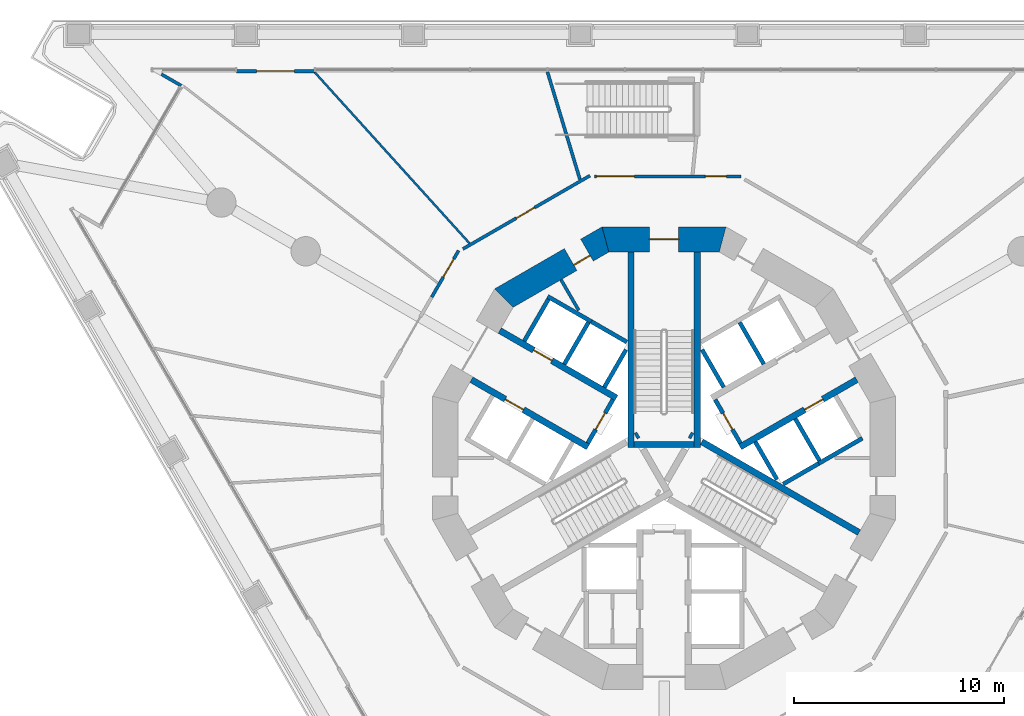
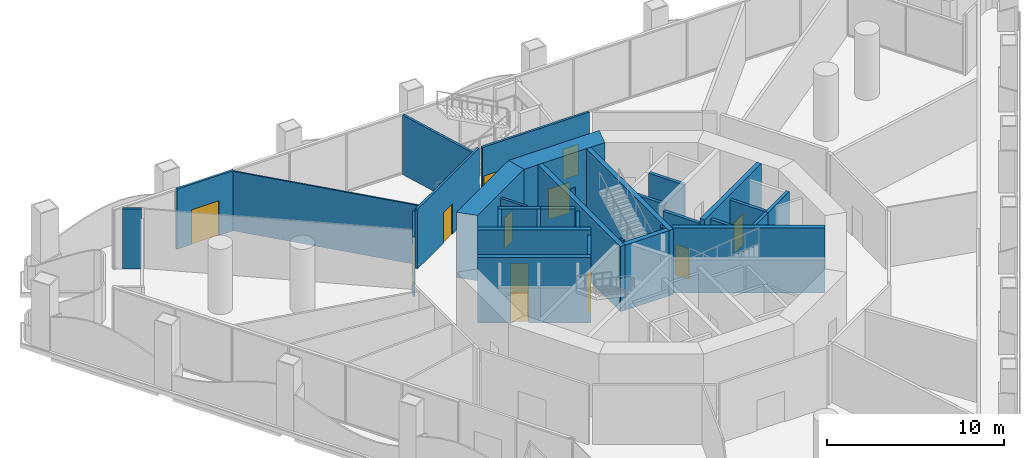
# One storey, part 13 of 23: 32 walls, 12 doors, 12 openings.
"""IFC4 building model written with IfcOpenShell, lengths in metres."""

from ifc_helpers import new_model, si_unit, direction, frame, frame_2d, origin, place, context, subcontext, project, spatial, polyline, rectangle, outline, extrude, material, layer, layer_set, type_object, element, fill, save


model = new_model("IFC4")

# Units and contexts
model_context = context("Model", 3, precision=1e-05, world=origin(), true_north=direction((0.0, 1.0)))
body_context = subcontext(model_context, "Body", "Model", "MODEL_VIEW")
ifc_project = project(units=[si_unit("LENGTHUNIT", "METRE"), si_unit("AREAUNIT", "SQUARE_METRE"), si_unit("VOLUMEUNIT", "CUBIC_METRE"), si_unit("PLANEANGLEUNIT", "RADIAN"), si_unit("MASSUNIT", "GRAM", prefix="KILO")], contexts=[model_context])

# Site, building, storey
site_placement = place(None, origin())
site = spatial("IfcSite", under=ifc_project, at=site_placement, CompositionType="ELEMENT")
building_placement = place(site_placement, origin())
building = spatial("IfcBuilding", under=site, at=building_placement, Name="Trine Commons Tower", CompositionType="ELEMENT")
storey_placement = place(building_placement, frame((0.0, 0.0, 18.0)))
storey = spatial("IfcBuildingStorey", under=building, at=storey_placement, Name="L03", CompositionType="ELEMENT", Elevation=18.0)

# Wall, opening, door
ifc_material_1 = material(Name="Plasterboard on steel stud", Category="steel")
ifc_layer_1 = layer(ifc_material_1, 0.14990234375)
ifc_layer_set_1 = layer_set([ifc_layer_1], Name="Plasterboard on steel stud")
wall_type_1 = type_object("IfcWallType", Name="Compartment wall 150 mm, EI 60", PredefinedType="PARTITIONING", material=ifc_layer_set_1)
wall_1_placement = place(storey_placement, frame((68.94140625, 70.1689453125, 0.0), z_axis=(0.0, 0.0, 1.0), x_axis=(0.499970471295, 0.866042451519, 0.0)))
wall_1 = element("IfcWall", 1, at=wall_1_placement, inside=storey, type_object=wall_type_1, Name="Partition P3012", PredefinedType="PARTITIONING", context=body_context, shape_type="SweptSolid", body=[
    extrude(rectangle(XDim=2.556396484375, YDim=0.14990234375, at=frame_2d((1.2783203125, 0.0))), origin(), (0.0, 0.0, 1.0), 4.10009765625),
])
opening_1_placement = place(wall_1_placement, frame((1.0966796875, 0.0, 0.0)))
opening_1 = element("IfcOpeningElement", 2, at=opening_1_placement, cuts=wall_1, Name="Opening D-P306", PredefinedType="OPENING", context=body_context, shape_type="SweptSolid", body=[
    extrude(rectangle(XDim=1.0, YDim=2.10009765625, at=frame_2d((0.5, 1.050048828125))), frame((0.0, 0.0849609375, 0.0), z_axis=(0.0, -1.0, 0.0), x_axis=(1.0, 0.0, 0.0)), (0.0, 0.0, 1.0), 0.169921875),
])
ifc_material_2 = material(Name="Timber fire door set", Category="wood")
door_type_1 = type_object("IfcDoorType", Name="Double swing door 1000x2100, FD30S", OperationType="DOUBLE_DOOR_DOUBLE_SWING", PredefinedType="DOOR", material=ifc_material_2)
door_1_placement = place(opening_1_placement, origin())
door_1 = element("IfcDoor", 3, at=door_1_placement, inside=storey, type_object=door_type_1, Name="Door D-P306", OperationType="DOUBLE_DOOR_DOUBLE_SWING", OverallHeight=2.10009765625, OverallWidth=1.0, PredefinedType="DOOR", context=body_context, shape_type="SweptSolid", body=[
    extrude(rectangle(XDim=1.0, YDim=2.10009765625, at=frame_2d((0.5, 1.050048828125))), frame((0.0, 0.02490234375, 0.0), z_axis=(0.0, -1.0, 0.0), x_axis=(1.0, 0.0, 0.0)), (0.0, 0.0, 1.0), 0.050048828125),
])
fill(opening_1, door_1)

wall_2_placement = place(storey_placement, frame((70.424560546875, 72.4580078125, 0.0), z_axis=(0.0, 0.0, 1.0), x_axis=(0.866037689721, 0.49997871953, 0.0)))
wall_2 = element("IfcWall", 4, at=wall_2_placement, inside=storey, type_object=wall_type_1, Name="Partition P3014", PredefinedType="PARTITIONING", context=body_context, shape_type="SweptSolid", body=[
    extrude(rectangle(XDim=6.982177734375, YDim=0.14990234375, at=frame_2d((3.4912109375, 0.0))), origin(), (0.0, 0.0, 1.0), 4.10009765625),
])
opening_2_placement = place(wall_2_placement, frame((2.942626953125, 0.0, 0.0)))
opening_2 = element("IfcOpeningElement", 5, at=opening_2_placement, cuts=wall_2, Name="Opening D-P307", PredefinedType="OPENING", context=body_context, shape_type="SweptSolid", body=[
    extrude(rectangle(XDim=1.0, YDim=2.10009765625, at=frame_2d((0.5, 1.050048828125))), frame((0.0, 0.0849609375, 0.0), z_axis=(0.0, -1.0, 0.0), x_axis=(1.0, 0.0, 0.0)), (0.0, 0.0, 1.0), 0.169921875),
])
door_type_2 = type_object("IfcDoorType", Name="Single swing door 1000x2100, FD30S", OperationType="SINGLE_SWING_LEFT", PredefinedType="DOOR", material=ifc_material_2)
door_2_placement = place(opening_2_placement, origin())
door_2 = element("IfcDoor", 6, at=door_2_placement, inside=storey, type_object=door_type_2, Name="Door D-P307", OperationType="SINGLE_SWING_LEFT", OverallHeight=2.10009765625, OverallWidth=1.0, PredefinedType="DOOR", context=body_context, shape_type="SweptSolid", body=[
    extrude(rectangle(XDim=1.0, YDim=2.10009765625, at=frame_2d((0.5, 1.050048828125))), frame((0.0, 0.02490234375, 0.0), z_axis=(0.0, -1.0, 0.0), x_axis=(1.0, 0.0, 0.0)), (0.0, 0.0, 1.0), 0.050048828125),
])
fill(opening_2, door_2)

# Wall
wall_3_placement = place(storey_placement, frame((74.451416015625, 80.884521484375, 0.0), z_axis=(0.0, 0.0, 1.0), x_axis=(0.288947597312, -0.95734491486, 0.0)))
element("IfcWall", 7, at=wall_3_placement, inside=storey, type_object=wall_type_1, Name="Partition P3016", PredefinedType="PARTITIONING", context=body_context, shape_type="SweptSolid", body=[
    extrude(rectangle(XDim=5.333251953125, YDim=0.14990234375, at=frame_2d((2.66650390625, 0.0))), origin(), (0.0, 0.0, 1.0), 4.10009765625),
])

# Wall, openings, doors
wall_4_placement = place(storey_placement, frame((76.686279296875, 75.91162109375, 0.0), z_axis=(0.0, 0.0, 1.0), x_axis=(1.0, 0.0, 0.0)))
wall_4 = element("IfcWall", 8, at=wall_4_placement, inside=storey, type_object=wall_type_1, Name="Partition P3018", PredefinedType="PARTITIONING", context=body_context, shape_type="SweptSolid", body=[
    extrude(rectangle(XDim=6.982421875, YDim=0.14990234375, at=frame_2d((3.4912109375, 0.0))), origin(), (0.0, 0.0, 1.0), 4.10009765625),
])
opening_3_placement = place(wall_4_placement, frame((0.10009765625, 0.0, 0.0)))
opening_3 = element("IfcOpeningElement", 9, at=opening_3_placement, cuts=wall_4, Name="Opening D-P309", PredefinedType="OPENING", context=body_context, shape_type="SweptSolid", body=[
    extrude(rectangle(XDim=1.800048828125, YDim=2.10009765625, at=frame_2d((0.89990234375, 1.050048828125))), frame((0.0, 0.0849609375, 0.0), z_axis=(0.0, -1.0, 0.0), x_axis=(1.0, 0.0, 0.0)), (0.0, 0.0, 1.0), 0.169921875),
])
opening_4_placement = place(wall_4_placement, frame((5.284912109375, 0.0, 0.0)))
opening_4 = element("IfcOpeningElement", 10, at=opening_4_placement, cuts=wall_4, Name="Opening D-P310", PredefinedType="OPENING", context=body_context, shape_type="SweptSolid", body=[
    extrude(rectangle(XDim=1.0, YDim=2.10009765625, at=frame_2d((0.5, 1.050048828125))), frame((0.0, 0.0849609375, 0.0), z_axis=(0.0, -1.0, 0.0), x_axis=(1.0, 0.0, 0.0)), (0.0, 0.0, 1.0), 0.169921875),
])
door_type_3 = type_object("IfcDoorType", Name="Double swing door 1800x2100, FD30S", OperationType="DOUBLE_DOOR_DOUBLE_SWING", PredefinedType="DOOR", material=ifc_material_2)
door_3_placement = place(opening_3_placement, origin())
door_3 = element("IfcDoor", 11, at=door_3_placement, inside=storey, type_object=door_type_3, Name="Door D-P309", OperationType="DOUBLE_DOOR_DOUBLE_SWING", OverallHeight=2.10009765625, OverallWidth=1.800048828125, PredefinedType="DOOR", context=body_context, shape_type="SweptSolid", body=[
    extrude(rectangle(XDim=1.800048828125, YDim=2.10009765625, at=frame_2d((0.89990234375, 1.050048828125))), frame((0.0, 0.02490234375, 0.0), z_axis=(0.0, -1.0, 0.0), x_axis=(1.0, 0.0, 0.0)), (0.0, 0.0, 1.0), 0.050048828125),
])
fill(opening_3, door_3)
door_4_placement = place(opening_4_placement, origin())
door_4 = element("IfcDoor", 12, at=door_4_placement, inside=storey, type_object=door_type_2, Name="Door D-P310", OperationType="SINGLE_SWING_LEFT", OverallHeight=2.10009765625, OverallWidth=1.0, PredefinedType="DOOR", context=body_context, shape_type="SweptSolid", body=[
    extrude(rectangle(XDim=1.0, YDim=2.10009765625, at=frame_2d((0.5, 1.050048828125))), frame((0.0, 0.02490234375, 0.0), z_axis=(0.0, -1.0, 0.0), x_axis=(1.0, 0.0, 0.0)), (0.0, 0.0, 1.0), 0.050048828125),
])
fill(opening_4, door_4)

# Wall
ifc_material_3 = material(Name="Plasterboard partition on steel studs", Category="steel")
ifc_layer_2 = layer(ifc_material_3, 0.14990234375)
ifc_layer_set_2 = layer_set([ifc_layer_2], Name="Plasterboard partition on steel studs")
wall_type_2 = type_object("IfcWallType", Name="Core room partition 150 mm, EI 60", PredefinedType="PARTITIONING", material=ifc_layer_set_2)
wall_5_placement = place(storey_placement, frame((75.094970703125, 70.9970703125, 0.0), z_axis=(0.0, 0.0, 1.0), x_axis=(0.500115728942, -0.865958577338, 0.0)))
element("IfcWall", 13, at=wall_5_placement, inside=storey, type_object=wall_type_2, Name="Core room partition L03", PredefinedType="PARTITIONING", context=body_context, shape_type="SweptSolid", body=[
    extrude(rectangle(XDim=1.68359375, YDim=0.14990234375, at=frame_2d((0.841796875, 0.0))), origin(), (0.0, 0.0, 1.0), 4.14990234375),
])

# Wall, opening, door
ifc_material_4 = material(Name="Aluminium-framed insulated wall panel", Category="aluminium")
ifc_layer_3 = layer(ifc_material_4, 0.14990234375)
ifc_layer_set_3 = layer_set([ifc_layer_3], Name="Aluminium-framed insulated wall panel")
wall_type_3 = type_object("IfcWallType", Name="Glazed entrance wall 150, EI 60", PredefinedType="SOLIDWALL", material=ifc_layer_set_3)
wall_6_placement = place(storey_placement, frame((59.65576171875, 80.919677734375, 0.0), z_axis=(0.0, 0.0, 1.0), x_axis=(1.0, 0.0, 0.0)))
wall_6 = element("IfcWall", 14, at=wall_6_placement, inside=storey, type_object=wall_type_3, Name="Glazed entrance wall L03 F1 2", PredefinedType="SOLIDWALL", context=body_context, shape_type="SweptSolid", body=[
    extrude(rectangle(XDim=3.698974609375, YDim=0.14990234375, at=frame_2d((1.849609375, 0.0))), origin(), (0.0, 0.0, 1.0), 4.14990234375),
])
opening_5_placement = place(wall_6_placement, frame((0.949462890625, 0.0, 0.0)))
opening_5 = element("IfcOpeningElement", 15, at=opening_5_placement, cuts=wall_6, Name="Opening SD-L03-F1-02", PredefinedType="OPENING", context=body_context, shape_type="SweptSolid", body=[
    extrude(rectangle(XDim=1.800048828125, YDim=2.39990234375, at=frame_2d((0.89990234375, 1.199951171875))), frame((0.0, 0.0849609375, 0.0), z_axis=(0.0, -1.0, 0.0), x_axis=(1.0, 0.0, 0.0)), (0.0, 0.0, 1.0), 0.169921875),
])
ifc_material_5 = material(Name="Anodised aluminium frame with double glazing", Category="aluminium")
door_type_4 = type_object("IfcDoorType", Name="Sliding double door 1800x2400", OperationType="DOUBLE_DOOR_SLIDING", PredefinedType="DOOR", material=ifc_material_5)
door_5_placement = place(opening_5_placement, origin())
door_5 = element("IfcDoor", 16, at=door_5_placement, inside=storey, type_object=door_type_4, Name="Loggia door L03 F1 2", OperationType="DOUBLE_DOOR_SLIDING", OverallHeight=2.39990234375, OverallWidth=1.800048828125, PredefinedType="DOOR", context=body_context, shape_type="SweptSolid", body=[
    extrude(rectangle(XDim=1.800048828125, YDim=2.39990234375, at=frame_2d((0.89990234375, 1.199951171875))), frame((0.0, 0.02490234375, 0.0), z_axis=(0.0, -1.0, 0.0), x_axis=(1.0, 0.0, 0.0)), (0.0, 0.0, 1.0), 0.050048828125),
])
fill(opening_5, door_5)

# Wall
ifc_layer_4 = layer(ifc_material_4, 0.14990234375)
ifc_layer_set_4 = layer_set([ifc_layer_4], Name="Aluminium-framed insulated wall panel")
wall_type_4 = type_object("IfcWallType", Name="Glazed frame wall 150, EI 60", PredefinedType="SOLIDWALL", material=ifc_layer_set_4)
wall_7_placement = place(storey_placement, frame((57.104248046875, 80.181884765625, 0.0), z_axis=(0.0, 0.0, 1.0), x_axis=(-0.86606770004, 0.49992673358, 0.0)))
element("IfcWall", 17, at=wall_7_placement, inside=storey, type_object=wall_type_4, Name="Glazed frame wall L03 R3", PredefinedType="SOLIDWALL", context=body_context, shape_type="SweptSolid", body=[
    extrude(outline(polyline([(0.110107421875, 0.074951171875), (0.110107421875, -0.074951171875), (1.19580078125, -0.074951171875), (1.19580078125, 0.074951171875), (0.110107421875, 0.074951171875)])), origin(), (0.0, 0.0, 1.0), 4.14990234375),
])

# Wall, opening, door
ifc_material_6 = material(Name="Fire-rated gypsum shaft wall system")
ifc_layer_5 = layer(ifc_material_6, 0.199951171875)
ifc_layer_set_5 = layer_set([ifc_layer_5], Name="Fire-rated gypsum shaft wall system")
wall_type_5 = type_object("IfcWallType", Name="Lobby end wall 200 mm, EI 120", PredefinedType="PARTITIONING", material=ifc_layer_set_5)
wall_8_placement = place(storey_placement, frame((77.569091796875, 65.2890625, 0.0), z_axis=(0.0, 0.0, 1.0), x_axis=(-0.50012165622, -0.865955154139, 0.0)))
wall_8 = element("IfcWall", 18, at=wall_8_placement, inside=storey, type_object=wall_type_5, Name="Lobby end wall L03", PredefinedType="PARTITIONING", context=body_context, shape_type="SweptSolid", body=[
    extrude(rectangle(XDim=2.39990234375, YDim=0.199951171875, at=frame_2d((1.199951171875, 0.0))), origin(), (0.0, 0.0, 1.0), 4.14990234375),
])
opening_6_placement = place(wall_8_placement, frame((0.749755859375, 0.0, 0.0)))
opening_6 = element("IfcOpeningElement", 19, at=opening_6_placement, cuts=wall_8, Name="Opening K06.07", PredefinedType="OPENING", context=body_context, shape_type="SweptSolid", body=[
    extrude(rectangle(XDim=0.89990234375, YDim=2.10009765625, at=frame_2d((0.449951171875, 1.050048828125))), frame((0.0, 0.10986328125, 0.0), z_axis=(0.0, -1.0, 0.0), x_axis=(1.0, 0.0, 0.0)), (0.0, 0.0, 1.0), 0.219970703125),
])
ifc_material_7 = material(Name="Steel door leaf, fire-rated", Category="steel")
door_type_5 = type_object("IfcDoorType", Name="Riser access door, single leaf 900 x 2100, FD60", OperationType="SINGLE_SWING_LEFT", PredefinedType="DOOR", material=ifc_material_7)
door_6_placement = place(opening_6_placement, frame((0.89990234375, 0.0, 0.0), z_axis=(0.0, 0.0, 1.0), x_axis=(-1.0, 0.0, 0.0)))
door_6 = element("IfcDoor", 20, at=door_6_placement, inside=storey, type_object=door_type_5, Name="Riser door, Mechanical riser L03", OperationType="SINGLE_SWING_RIGHT", OverallHeight=2.10009765625, OverallWidth=0.89990234375, PredefinedType="DOOR", context=body_context, shape_type="SweptSolid", body=[
    extrude(rectangle(XDim=0.89990234375, YDim=2.10009765625, at=frame_2d((0.449951171875, 1.050048828125))), frame((0.0, 0.02490234375, 0.0), z_axis=(0.0, -1.0, 0.0), x_axis=(1.0, 0.0, 0.0)), (0.0, 0.0, 1.0), 0.050048828125),
])
fill(opening_6, door_6)

wall_9_placement = place(storey_placement, frame((83.631103515625, 63.2109375, 0.0), z_axis=(0.0, 0.0, 1.0), x_axis=(-0.50012165622, 0.865955154139, 0.0)))
wall_9 = element("IfcWall", 21, at=wall_9_placement, inside=storey, type_object=wall_type_5, Name="Lobby end wall L03", PredefinedType="PARTITIONING", context=body_context, shape_type="SweptSolid", body=[
    extrude(rectangle(XDim=2.39990234375, YDim=0.199951171875, at=frame_2d((1.199951171875, 0.0))), origin(), (0.0, 0.0, 1.0), 4.14990234375),
])
opening_7_placement = place(wall_9_placement, frame((0.749755859375, 0.0, 0.0)))
opening_7 = element("IfcOpeningElement", 22, at=opening_7_placement, cuts=wall_9, Name="Opening K06.05", PredefinedType="OPENING", context=body_context, shape_type="SweptSolid", body=[
    extrude(rectangle(XDim=0.89990234375, YDim=2.10009765625, at=frame_2d((0.449951171875, 1.050048828125))), frame((0.0, 0.10986328125, 0.0), z_axis=(0.0, -1.0, 0.0), x_axis=(1.0, 0.0, 0.0)), (0.0, 0.0, 1.0), 0.219970703125),
])
door_7_placement = place(opening_7_placement, frame((0.89990234375, 0.0, 0.0), z_axis=(0.0, 0.0, 1.0), x_axis=(-1.0, 0.0, 0.0)))
door_7 = element("IfcDoor", 23, at=door_7_placement, inside=storey, type_object=door_type_5, Name="Riser door, Electrical riser L03", OperationType="SINGLE_SWING_LEFT", OverallHeight=2.10009765625, OverallWidth=0.89990234375, PredefinedType="DOOR", context=body_context, shape_type="SweptSolid", body=[
    extrude(rectangle(XDim=0.89990234375, YDim=2.10009765625, at=frame_2d((0.449951171875, 1.050048828125))), frame((0.0, 0.02490234375, 0.0), z_axis=(0.0, -1.0, 0.0), x_axis=(1.0, 0.0, 0.0)), (0.0, 0.0, 1.0), 0.050048828125),
])
fill(opening_7, door_7)

# Wall
ifc_layer_6 = layer(ifc_material_1, 0.10009765625)
ifc_layer_set_6 = layer_set([ifc_layer_6], Name="Plasterboard on steel stud")
wall_type_6 = type_object("IfcWallType", Name="Partition wall 100 mm stud, not rated", PredefinedType="PARTITIONING", material=ifc_layer_set_6)
wall_10_placement = place(storey_placement, frame((63.354736328125, 80.884521484375, 0.0), z_axis=(0.0, 0.0, 1.0), x_axis=(0.671171464025, -0.741302142098, 0.0)))
element("IfcWall", 24, at=wall_10_placement, inside=storey, type_object=wall_type_6, Name="Partition P3006", PredefinedType="PARTITIONING", context=body_context, shape_type="SweptSolid", body=[
    extrude(rectangle(XDim=10.99365234375, YDim=0.10009765625, at=frame_2d((5.496826171875, 0.0))), origin(), (0.0, 0.0, 1.0), 4.10009765625),
])

# Wall, opening, door
ifc_material_8 = material(Name="Concrete C80/95", Category="concrete")
ifc_layer_7 = layer(ifc_material_8, 1.199951171875)
ifc_layer_set_7 = layer_set([ifc_layer_7], Name="Concrete C80/95")
wall_type_7 = type_object("IfcWallType", Name="RC shear wall 1200 mm, C80/95", PredefinedType="SHEAR", material=ifc_layer_set_7)
wall_11_placement = place(storey_placement, frame((82.950439453125, 72.91162109375, 0.0), z_axis=(0.0, 0.0, 1.0), x_axis=(-1.0, 0.0, 0.0)))
wall_11 = element("IfcWall", 25, at=wall_11_placement, inside=storey, type_object=wall_type_7, Name="Core wall CWA-04 L03", PredefinedType="SHEAR", context=body_context, shape_type="SweptSolid", body=[
    extrude(outline(polyline([(0.0, -0.60009765625), (5.90087890625, -0.60009765625), (5.57958984375, 0.60009765625), (0.321533203125, 0.60009765625), (0.0, -0.60009765625)])), origin(), (0.0, 0.0, 1.0), 4.5),
])
opening_8_placement = place(wall_11_placement, frame((2.25048828125, 0.0, 0.0)))
opening_8 = element("IfcOpeningElement", 26, at=opening_8_placement, cuts=wall_11, Name="Opening K06.01", PredefinedType="OPENING", context=body_context, shape_type="SweptSolid", body=[
    extrude(rectangle(XDim=1.39990234375, YDim=2.10009765625, at=frame_2d((0.699951171875, 1.050048828125))), frame((0.0, 0.60986328125, 0.0), z_axis=(0.0, -1.0, 0.0), x_axis=(1.0, 0.0, 0.0)), (0.0, 0.0, 1.0), 1.219970703125),
])
ifc_material_9 = material(Name="Steel door leaves, fire-rated", Category="steel")
door_type_6 = type_object("IfcDoorType", Name="Stair door, double leaf 1400 x 2100, FD90", OperationType="DOUBLE_DOOR_SINGLE_SWING", PredefinedType="DOOR", material=ifc_material_9)
door_8_placement = place(opening_8_placement, origin())
door_8 = element("IfcDoor", 27, at=door_8_placement, inside=storey, type_object=door_type_6, Name="Stair door to Exit stair ST1A L03", OperationType="DOUBLE_DOOR_SINGLE_SWING", OverallHeight=2.10009765625, OverallWidth=1.39990234375, PredefinedType="DOOR", context=body_context, shape_type="SweptSolid", body=[
    extrude(rectangle(XDim=1.39990234375, YDim=2.10009765625, at=frame_2d((0.699951171875, 1.050048828125))), frame((0.0, 0.02490234375, 0.0), z_axis=(0.0, -1.0, 0.0), x_axis=(1.0, 0.0, 0.0)), (0.0, 0.0, 1.0), 0.050048828125),
])
fill(opening_8, door_8)

wall_12_placement = place(storey_placement, frame((77.349609375, 72.991943359375, 0.0), z_axis=(0.0, 0.0, 1.0), x_axis=(-0.866037463336, -0.499979111662, 0.0)))
wall_12 = element("IfcWall", 28, at=wall_12_placement, inside=storey, type_object=wall_type_7, Name="Core wall CWA-05 L03", PredefinedType="SHEAR", context=body_context, shape_type="SweptSolid", body=[
    extrude(outline(polyline([(0.0, -0.60009765625), (5.901123046875, -0.60009765625), (5.57958984375, 0.60009765625), (0.321533203125, 0.60009765625), (0.0, -0.60009765625)])), origin(), (0.0, 0.0, 1.0), 4.5),
])
opening_9_placement = place(wall_12_placement, frame((1.1748046875, 0.0, 0.0)))
opening_9 = element("IfcOpeningElement", 29, at=opening_9_placement, cuts=wall_12, Name="Opening K06.13", PredefinedType="OPENING", context=body_context, shape_type="SweptSolid", body=[
    extrude(rectangle(XDim=0.89990234375, YDim=2.10009765625, at=frame_2d((0.449951171875, 1.050048828125))), frame((0.0, 0.60986328125, 0.0), z_axis=(0.0, -1.0, 0.0), x_axis=(1.0, 0.0, 0.0)), (0.0, 0.0, 1.0), 1.219970703125),
])
door_type_7 = type_object("IfcDoorType", Name="Core room door, single leaf 900 x 2100, FD30S", OperationType="SINGLE_SWING_LEFT", PredefinedType="DOOR", material=ifc_material_7)
door_9_placement = place(opening_9_placement, origin())
door_9 = element("IfcDoor", 30, at=door_9_placement, inside=storey, type_object=door_type_7, Name="Door to Linen store L03", OperationType="SINGLE_SWING_LEFT", OverallHeight=2.10009765625, OverallWidth=0.89990234375, PredefinedType="DOOR", context=body_context, shape_type="SweptSolid", body=[
    extrude(rectangle(XDim=0.89990234375, YDim=2.10009765625, at=frame_2d((0.449951171875, 1.050048828125))), frame((0.0, 0.3251953125, 0.0), z_axis=(0.0, -1.0, 0.0), x_axis=(1.0, 0.0, 0.0)), (0.0, 0.0, 1.0), 0.050048828125),
])
fill(opening_9, door_9)

ifc_layer_8 = layer(ifc_material_8, 0.300048828125)
ifc_layer_set_8 = layer_set([ifc_layer_8], Name="Concrete C80/95")
wall_type_8 = type_object("IfcWallType", Name="RC shear wall 300 mm, C80/95", PredefinedType="SHEAR", material=ifc_layer_set_8)
wall_13_placement = place(storey_placement, frame((76.381103515625, 63.031005859375, 0.0), z_axis=(0.0, 0.0, 1.0), x_axis=(-0.866032150378, 0.499988314375, 0.0)))
wall_13 = element("IfcWall", 31, at=wall_13_placement, inside=storey, type_object=wall_type_8, Name="Core cross wall SWA-01 L03", PredefinedType="SHEAR", context=body_context, shape_type="SweptSolid", body=[
    extrude(rectangle(XDim=6.412353515625, YDim=0.300048828125, at=frame_2d((3.2060546875, 0.0))), origin(), (0.0, 0.0, 1.0), 4.5),
])
opening_10_placement = place(wall_13_placement, frame((3.55029296875, 0.0, 0.0)))
opening_10 = element("IfcOpeningElement", 32, at=opening_10_placement, cuts=wall_13, Name="Opening LD3", PredefinedType="OPENING", context=body_context, shape_type="SweptSolid", body=[
    extrude(rectangle(XDim=1.0, YDim=2.10009765625, at=frame_2d((0.5, 1.050048828125))), frame((0.0, 0.159912109375, 0.0), z_axis=(0.0, -1.0, 0.0), x_axis=(1.0, 0.0, 0.0)), (0.0, 0.0, 1.0), 0.320068359375),
])
ifc_material_10 = material(Name="Stainless steel sliding door leaves", Category="steel")
door_type_8 = type_object("IfcDoorType", Name="Lift landing door, centre-opening sliding 1000 x 2100, FD90", OperationType="DOUBLE_DOOR_SLIDING", PredefinedType="DOOR", material=ifc_material_10)
door_10_placement = place(opening_10_placement, origin())
door_10 = element("IfcDoor", 33, at=door_10_placement, inside=storey, type_object=door_type_8, Name="Lift landing door LR3 L03", OperationType="DOUBLE_DOOR_SLIDING", OverallHeight=2.10009765625, OverallWidth=1.0, PredefinedType="DOOR", context=body_context, shape_type="SweptSolid", body=[
    extrude(rectangle(XDim=1.0, YDim=2.10009765625, at=frame_2d((0.5, 1.050048828125))), frame((0.0, 0.02490234375, 0.0), z_axis=(0.0, -1.0, 0.0), x_axis=(1.0, 0.0, 0.0)), (0.0, 0.0, 1.0), 0.050048828125),
])
fill(opening_10, door_10)

wall_14_placement = place(storey_placement, frame((77.73095703125, 65.368896484375, 0.0), z_axis=(0.0, 0.0, 1.0), x_axis=(-0.866022631842, 0.500004801114, 0.0)))
wall_14 = element("IfcWall", 34, at=wall_14_placement, inside=storey, type_object=wall_type_8, Name="Core cross wall SWA-02 L03", PredefinedType="SHEAR", context=body_context, shape_type="SweptSolid", body=[
    extrude(rectangle(XDim=6.412109375, YDim=0.300048828125, at=frame_2d((3.2060546875, 0.0))), origin(), (0.0, 0.0, 1.0), 4.5),
])
opening_11_placement = place(wall_14_placement, frame((3.55029296875, 0.0, 0.0)))
opening_11 = element("IfcOpeningElement", 35, at=opening_11_placement, cuts=wall_14, Name="Opening LD4", PredefinedType="OPENING", context=body_context, shape_type="SweptSolid", body=[
    extrude(rectangle(XDim=1.0, YDim=2.10009765625, at=frame_2d((0.5, 1.050048828125))), frame((0.0, 0.159912109375, 0.0), z_axis=(0.0, -1.0, 0.0), x_axis=(1.0, 0.0, 0.0)), (0.0, 0.0, 1.0), 0.320068359375),
])
door_11_placement = place(opening_11_placement, origin())
door_11 = element("IfcDoor", 36, at=door_11_placement, inside=storey, type_object=door_type_8, Name="Lift landing door LR4 L03", OperationType="DOUBLE_DOOR_SLIDING", OverallHeight=2.10009765625, OverallWidth=1.0, PredefinedType="DOOR", context=body_context, shape_type="SweptSolid", body=[
    extrude(rectangle(XDim=1.0, YDim=2.10009765625, at=frame_2d((0.5, 1.050048828125))), frame((0.0, 0.02490234375, 0.0), z_axis=(0.0, -1.0, 0.0), x_axis=(1.0, 0.0, 0.0)), (0.0, 0.0, 1.0), 0.050048828125),
])
fill(opening_11, door_11)

wall_15_placement = place(storey_placement, frame((83.618896484375, 63.031005859375, 0.0), z_axis=(0.0, 0.0, 1.0), x_axis=(0.866032150378, 0.499988314375, 0.0)))
wall_15 = element("IfcWall", 37, at=wall_15_placement, inside=storey, type_object=wall_type_8, Name="Core cross wall SWA-06 L03", PredefinedType="SHEAR", context=body_context, shape_type="SweptSolid", body=[
    extrude(rectangle(XDim=6.412353515625, YDim=0.300048828125, at=frame_2d((3.2060546875, 0.0))), origin(), (0.0, 0.0, 1.0), 4.5),
])
opening_12_placement = place(wall_15_placement, frame((3.55029296875, 0.0, 0.0)))
opening_12 = element("IfcOpeningElement", 38, at=opening_12_placement, cuts=wall_15, Name="Opening LD2", PredefinedType="OPENING", context=body_context, shape_type="SweptSolid", body=[
    extrude(rectangle(XDim=1.0, YDim=2.10009765625, at=frame_2d((0.5, 1.050048828125))), frame((0.0, 0.159912109375, 0.0), z_axis=(0.0, -1.0, 0.0), x_axis=(1.0, 0.0, 0.0)), (0.0, 0.0, 1.0), 0.320068359375),
])
door_12_placement = place(opening_12_placement, origin())
door_12 = element("IfcDoor", 39, at=door_12_placement, inside=storey, type_object=door_type_8, Name="Lift landing door LR2 L03", OperationType="DOUBLE_DOOR_SLIDING", OverallHeight=2.10009765625, OverallWidth=1.0, PredefinedType="DOOR", context=body_context, shape_type="SweptSolid", body=[
    extrude(rectangle(XDim=1.0, YDim=2.10009765625, at=frame_2d((0.5, 1.050048828125))), frame((0.0, 0.02490234375, 0.0), z_axis=(0.0, -1.0, 0.0), x_axis=(1.0, 0.0, 0.0)), (0.0, 0.0, 1.0), 0.050048828125),
])
fill(opening_12, door_12)

# Walls
wall_16_placement = place(storey_placement, frame((78.425048828125, 63.0009765625, 0.0), z_axis=(0.0, 0.0, 1.0), x_axis=(0.0, 1.0, 0.0)))
element("IfcWall", 40, at=wall_16_placement, inside=storey, type_object=wall_type_8, Name="Core cross wall SWA-08 L03", PredefinedType="SHEAR", context=body_context, shape_type="SweptSolid", body=[
    extrude(rectangle(XDim=9.31103515625, YDim=0.300048828125, at=frame_2d((4.655517578125, 0.0))), origin(), (0.0, 0.0, 1.0), 4.5),
])
for number, where, z_axis, x_axis, name in (
    (41, (78.779052734375, 63.614013671875, 0.0), (0.0, 0.0, 1.0), (-0.867737973955, -0.497021939713, 0.0), "Core cross wall SWA-09 L03"),
    (42, (81.220947265625, 63.614013671875, 0.0), (0.0, 0.0, 1.0), (0.867737973955, -0.497021939713, 0.0), "Core cross wall SWA-15 L03"),
):
    element("IfcWall", number, at=place(storey_placement, frame(where, z_axis=z_axis, x_axis=x_axis)), inside=storey, type_object=wall_type_8, Name=name, PredefinedType="SHEAR", context=body_context, shape_type="SweptSolid", body=[
        extrude(rectangle(XDim=0.14892578125, YDim=0.300048828125, at=frame_2d((0.074462890625, 0.0))), origin(), (0.0, 0.0, 1.0), 4.5),
    ])
wall_17_placement = place(storey_placement, frame((81.425048828125, 63.15087890625, 0.0), z_axis=(0.0, 0.0, 1.0), x_axis=(-1.0, 0.0, 0.0)))
element("IfcWall", 43, at=wall_17_placement, inside=storey, type_object=wall_type_8, Name="Core cross wall SWA-16 L03", PredefinedType="SHEAR", context=body_context, shape_type="SweptSolid", body=[
    extrude(rectangle(XDim=2.85009765625, YDim=0.300048828125, at=frame_2d((1.425048828125, 0.0))), origin(), (0.0, 0.0, 1.0), 4.5),
])
wall_18_placement = place(storey_placement, frame((81.574951171875, 63.0009765625, 0.0), z_axis=(0.0, 0.0, 1.0), x_axis=(0.0, 1.0, 0.0)))
element("IfcWall", 44, at=wall_18_placement, inside=storey, type_object=wall_type_8, Name="Core cross wall SWA-17 L03", PredefinedType="SHEAR", context=body_context, shape_type="SweptSolid", body=[
    extrude(rectangle(XDim=9.31103515625, YDim=0.300048828125, at=frame_2d((4.655517578125, 0.0))), origin(), (0.0, 0.0, 1.0), 4.5),
])
wall_19_placement = place(storey_placement, frame((81.800048828125, 63.280029296875, 0.0), z_axis=(0.0, 0.0, 1.0), x_axis=(0.865965399159, -0.500103916661, 0.0)))
element("IfcWall", 45, at=wall_19_placement, inside=storey, type_object=wall_type_8, Name="Core cross wall SWA-18 L03", PredefinedType="SHEAR", context=body_context, shape_type="SweptSolid", body=[
    extrude(rectangle(XDim=8.642333984375, YDim=0.300048828125, at=frame_2d((4.3212890625, 0.0))), origin(), (0.0, 0.0, 1.0), 4.5),
])
ifc_layer_9 = layer(ifc_material_6, 0.199951171875)
ifc_layer_set_9 = layer_set([ifc_layer_9], Name="Fire-rated gypsum shaft wall system")
wall_type_9 = type_object("IfcWallType", Name="Shaft wall 200 mm, EI 120", PredefinedType="PARTITIONING", material=ifc_layer_set_9)
wall_20_placement = place(storey_placement, frame((73.344970703125, 68.073974609375, 0.0), z_axis=(0.0, 0.0, 1.0), x_axis=(0.500215680983, 0.865900844496, 0.0)))
element("IfcWall", 46, at=wall_20_placement, inside=storey, type_object=wall_type_9, Name="Shaft wall L03", PredefinedType="PARTITIONING", context=body_context, shape_type="SweptSolid", body=[
    extrude(rectangle(XDim=2.29931640625, YDim=0.199951171875, at=frame_2d((1.149658203125, 0.0))), origin(), (0.0, 0.0, 1.0), 4.14990234375),
])
wall_21_placement = place(storey_placement, frame((75.2509765625, 66.97412109375, 0.0), z_axis=(0.0, 0.0, 1.0), x_axis=(0.500136062276, 0.86594683394, 0.0)))
element("IfcWall", 47, at=wall_21_placement, inside=storey, type_object=wall_type_9, Name="Shaft wall L03", PredefinedType="PARTITIONING", context=body_context, shape_type="SweptSolid", body=[
    extrude(rectangle(XDim=2.299072265625, YDim=0.199951171875, at=frame_2d((1.1494140625, 0.0))), origin(), (0.0, 0.0, 1.0), 4.14990234375),
])
wall_22_placement = place(storey_placement, frame((76.5380859375, 69.001953125, 0.0), z_axis=(0.0, 0.0, 1.0), x_axis=(-0.866202511239, 0.499693115345, 0.0)))
element("IfcWall", 48, at=wall_22_placement, inside=storey, type_object=wall_type_9, Name="Shaft wall L03", PredefinedType="PARTITIONING", context=body_context, shape_type="SweptSolid", body=[
    extrude(rectangle(XDim=2.4013671875, YDim=0.199951171875, at=frame_2d((1.20068359375, 0.0))), origin(), (0.0, 0.0, 1.0), 4.14990234375),
])
wall_23_placement = place(storey_placement, frame((77.156005859375, 65.8740234375, 0.0), z_axis=(0.0, 0.0, 1.0), x_axis=(0.499865770674, 0.866102887253, 0.0)))
element("IfcWall", 49, at=wall_23_placement, inside=storey, type_object=wall_type_9, Name="Shaft wall L03", PredefinedType="PARTITIONING", context=body_context, shape_type="SweptSolid", body=[
    extrude(rectangle(XDim=2.064453125, YDim=0.199951171875, at=frame_2d((1.0322265625, 0.0))), origin(), (0.0, 0.0, 1.0), 4.14990234375),
])
wall_24_placement = place(storey_placement, frame((78.22509765625, 68.028076171875, 0.0), z_axis=(0.0, 0.0, 1.0), x_axis=(-0.866052014814, 0.499953905513, 0.0)))
element("IfcWall", 50, at=wall_24_placement, inside=storey, type_object=wall_type_9, Name="Shaft wall L03", PredefinedType="PARTITIONING", context=body_context, shape_type="SweptSolid", body=[
    extrude(rectangle(XDim=1.947998046875, YDim=0.199951171875, at=frame_2d((0.97412109375, 0.0))), origin(), (0.0, 0.0, 1.0), 4.14990234375),
])
wall_25_placement = place(storey_placement, frame((82.843994140625, 65.8740234375, 0.0), z_axis=(0.0, 0.0, 1.0), x_axis=(-0.499865770674, 0.866102887253, 0.0)))
element("IfcWall", 51, at=wall_25_placement, inside=storey, type_object=wall_type_9, Name="Shaft wall L03", PredefinedType="PARTITIONING", context=body_context, shape_type="SweptSolid", body=[
    extrude(rectangle(XDim=2.064453125, YDim=0.199951171875, at=frame_2d((1.0322265625, 0.0))), origin(), (0.0, 0.0, 1.0), 4.14990234375),
])
wall_26_placement = place(storey_placement, frame((84.343994140625, 63.27587890625, 0.0), z_axis=(0.0, 0.0, 1.0), x_axis=(0.500271688072, -0.86586848777, 0.0)))
element("IfcWall", 52, at=wall_26_placement, inside=storey, type_object=wall_type_9, Name="Shaft wall L03", PredefinedType="PARTITIONING", context=body_context, shape_type="SweptSolid", body=[
    extrude(rectangle(XDim=2.064697265625, YDim=0.199951171875, at=frame_2d((1.0322265625, 0.0))), origin(), (0.0, 0.0, 1.0), 4.14990234375),
])
wall_27_placement = place(storey_placement, frame((84.7490234375, 66.97412109375, 0.0), z_axis=(0.0, 0.0, 1.0), x_axis=(-0.500136062276, 0.86594683394, 0.0)))
element("IfcWall", 53, at=wall_27_placement, inside=storey, type_object=wall_type_9, Name="Shaft wall L03", PredefinedType="PARTITIONING", context=body_context, shape_type="SweptSolid", body=[
    extrude(rectangle(XDim=2.299072265625, YDim=0.199951171875, at=frame_2d((1.1494140625, 0.0))), origin(), (0.0, 0.0, 1.0), 4.14990234375),
])
wall_28_placement = place(storey_placement, frame((85.675048828125, 61.27294921875, 0.0), z_axis=(0.0, 0.0, 1.0), x_axis=(0.865780634835, 0.500423712812, 0.0)))
element("IfcWall", 54, at=wall_28_placement, inside=storey, type_object=wall_type_9, Name="Shaft wall L03", PredefinedType="PARTITIONING", context=body_context, shape_type="SweptSolid", body=[
    extrude(rectangle(XDim=1.948486328125, YDim=0.199951171875, at=frame_2d((0.97412109375, 0.0))), origin(), (0.0, 0.0, 1.0), 4.14990234375),
])
wall_29_placement = place(storey_placement, frame((86.2490234375, 64.3759765625, 0.0), z_axis=(0.0, 0.0, 1.0), x_axis=(0.500136062276, -0.86594683394, 0.0)))
element("IfcWall", 55, at=wall_29_placement, inside=storey, type_object=wall_type_9, Name="Shaft wall L03", PredefinedType="PARTITIONING", context=body_context, shape_type="SweptSolid", body=[
    extrude(rectangle(XDim=2.299072265625, YDim=0.199951171875, at=frame_2d((1.1494140625, 0.0))), origin(), (0.0, 0.0, 1.0), 4.14990234375),
])
wall_30_placement = place(storey_placement, frame((87.362060546875, 62.248046875, 0.0), z_axis=(0.0, 0.0, 1.0), x_axis=(0.866177122335, 0.499737123639, 0.0)))
element("IfcWall", 56, at=wall_30_placement, inside=storey, type_object=wall_type_9, Name="Shaft wall L03", PredefinedType="PARTITIONING", context=body_context, shape_type="SweptSolid", body=[
    extrude(rectangle(XDim=2.401123046875, YDim=0.199951171875, at=frame_2d((1.20068359375, 0.0))), origin(), (0.0, 0.0, 1.0), 4.14990234375),
])

save(model, "model.ifc")
